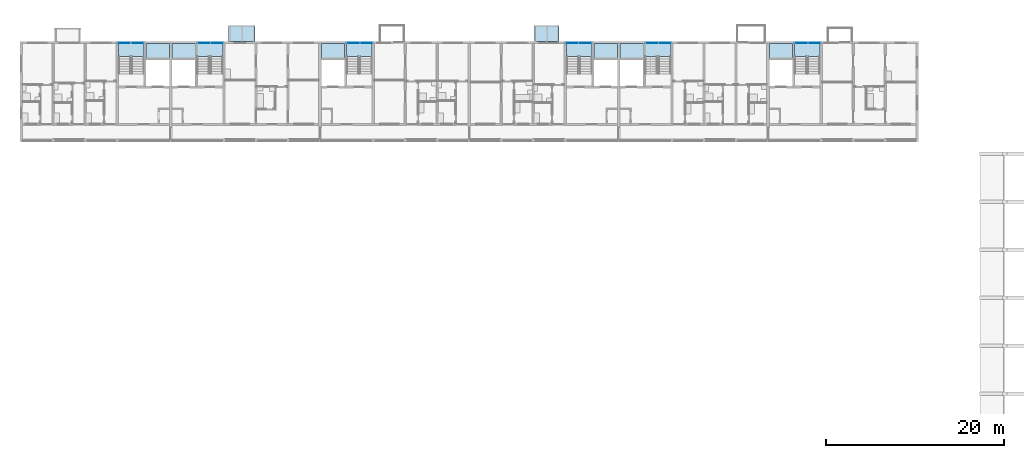
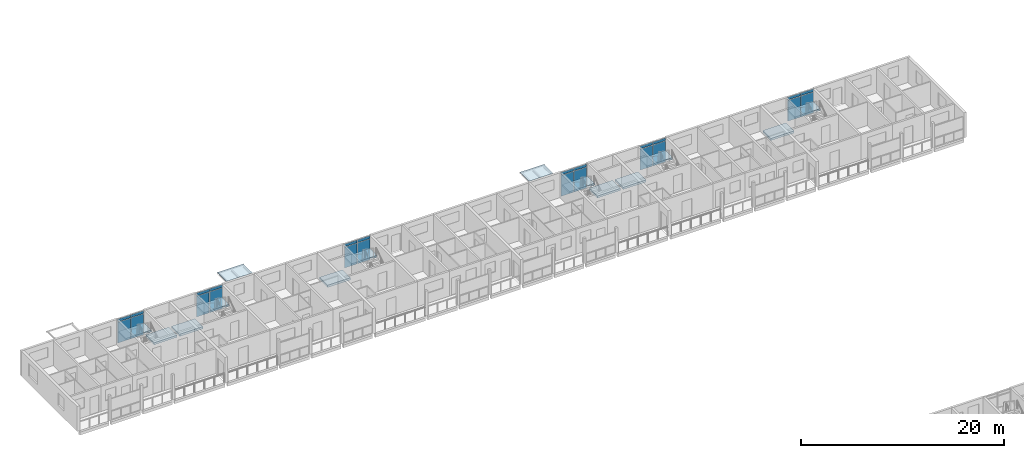
# One storey, part 24 of 99: 24 plates, 14 slabs, 12 elements without a shape of their own.
"""IFC4 building model written with IfcOpenShell, lengths in metres."""

from ifc_helpers import new_model, si_unit, direction, frame, origin, origin_2d, place, context, subcontext, project, spatial, polyline, rectangle, outline, extrude, material, layer, layer_set, type_object, element, aggregate, save


model = new_model("IFC4")

# Units and contexts
model_context = context("Model", 3, precision=1e-05, world=origin(), true_north=direction((0.0, 1.0)))
body_context = subcontext(model_context, "Body", "Model", "MODEL_VIEW")
ifc_project = project(units=[si_unit("LENGTHUNIT", "METRE"), si_unit("AREAUNIT", "SQUARE_METRE"), si_unit("VOLUMEUNIT", "CUBIC_METRE"), si_unit("PLANEANGLEUNIT", "RADIAN"), si_unit("MASSUNIT", "GRAM", prefix="KILO")], contexts=[model_context])

# Site, building, storey
site_placement = place(None, origin())
site = spatial("IfcSite", under=ifc_project, at=site_placement, CompositionType="ELEMENT")
building_placement = place(site_placement, origin())
building = spatial("IfcBuilding", under=site, at=building_placement, Name="Ridgestep Commons", CompositionType="ELEMENT")
storey_placement = place(building_placement, frame((0.0, 0.0, 15.0)))
storey = spatial("IfcBuildingStorey", under=building, at=storey_placement, Name="L05", CompositionType="ELEMENT", Elevation=15.0)

# Curtain wall, plates
ifc_material_1 = material(Name="Aluminium 6063-T6 and glass", Category="aluminium")
curtain_wall_type = type_object("IfcCurtainWallType", Name="Curtain wall stair strip", PredefinedType="NOTDEFINED", material=ifc_material_1)
curtain_wall_1_placement = place(storey_placement, origin())
curtain_wall_1 = element("IfcCurtainWall", 1, at=curtain_wall_1_placement, inside=storey, type_object=curtain_wall_type, Name="Curtain wall B1C level 05", PredefinedType="NOTDEFINED")
ifc_material_2 = material(Name="Glass laminated 6/16/6 low-emissivity", Category="glass")
ifc_layer_1 = layer(ifc_material_2, 0.028076171875)
ifc_layer_set_1 = layer_set([ifc_layer_1], Name="Glazing panel 28")
plate_type_1 = type_object("IfcPlateType", Name="Glazing panel 28", PredefinedType="CURTAIN_PANEL", material=ifc_layer_set_1)
plate_1_placement = place(storey_placement, frame((23.5712890625, 77.080078125, 0.06005859375), z_axis=(0.0, 0.0, 1.0), x_axis=(1.0, 0.0, 0.0)))
plate_1 = element("IfcPlate", 2, at=plate_1_placement, type_object=plate_type_1, Name="CW1 panel 1.1", PredefinedType="CURTAIN_PANEL", context=body_context, shape_type="SweptSolid", body=[
    extrude(rectangle(XDim=1.422607421875, YDim=0.028076171875, at=origin_2d()), origin(), (0.0, 0.0, 1.0), 2.5),
])
plate_2_placement = place(storey_placement, frame((25.0537109375, 77.080078125, 0.06005859375), z_axis=(0.0, 0.0, 1.0), x_axis=(1.0, 0.0, 0.0)))
plate_2 = element("IfcPlate", 3, at=plate_2_placement, type_object=plate_type_1, Name="CW1 panel 2.1", PredefinedType="CURTAIN_PANEL", context=body_context, shape_type="SweptSolid", body=[
    extrude(rectangle(XDim=1.422607421875, YDim=0.028076171875, at=origin_2d()), origin(), (0.0, 0.0, 1.0), 2.5),
])

curtain_wall_2_placement = place(storey_placement, origin())
curtain_wall_2 = element("IfcCurtainWall", 4, at=curtain_wall_2_placement, inside=storey, type_object=curtain_wall_type, Name="Curtain wall B2C level 05", PredefinedType="NOTDEFINED")
plate_3_placement = place(storey_placement, frame((32.546142578125, 77.080078125, 0.06005859375), z_axis=(0.0, 0.0, 1.0), x_axis=(1.0, 0.0, 0.0)))
plate_3 = element("IfcPlate", 5, at=plate_3_placement, type_object=plate_type_1, Name="CW1 panel 1.1", PredefinedType="CURTAIN_PANEL", context=body_context, shape_type="SweptSolid", body=[
    extrude(rectangle(XDim=1.422607421875, YDim=0.028076171875, at=origin_2d()), origin(), (0.0, 0.0, 1.0), 2.5),
])
plate_4_placement = place(storey_placement, frame((34.02880859375, 77.080078125, 0.06005859375), z_axis=(0.0, 0.0, 1.0), x_axis=(1.0, 0.0, 0.0)))
plate_4 = element("IfcPlate", 6, at=plate_4_placement, type_object=plate_type_1, Name="CW1 panel 2.1", PredefinedType="CURTAIN_PANEL", context=body_context, shape_type="SweptSolid", body=[
    extrude(rectangle(XDim=1.422607421875, YDim=0.028076171875, at=origin_2d()), origin(), (0.0, 0.0, 1.0), 2.5),
])

curtain_wall_3_placement = place(storey_placement, origin())
curtain_wall_3 = element("IfcCurtainWall", 7, at=curtain_wall_3_placement, inside=storey, type_object=curtain_wall_type, Name="Curtain wall B3C level 05", PredefinedType="NOTDEFINED")
plate_5_placement = place(storey_placement, frame((49.34619140625, 77.080078125, 0.06005859375), z_axis=(0.0, 0.0, 1.0), x_axis=(1.0, 0.0, 0.0)))
plate_5 = element("IfcPlate", 8, at=plate_5_placement, type_object=plate_type_1, Name="CW1 panel 1.1", PredefinedType="CURTAIN_PANEL", context=body_context, shape_type="SweptSolid", body=[
    extrude(rectangle(XDim=1.422607421875, YDim=0.028076171875, at=origin_2d()), origin(), (0.0, 0.0, 1.0), 2.5),
])
plate_6_placement = place(storey_placement, frame((50.828857421875, 77.080078125, 0.06005859375), z_axis=(0.0, 0.0, 1.0), x_axis=(1.0, 0.0, 0.0)))
plate_6 = element("IfcPlate", 9, at=plate_6_placement, type_object=plate_type_1, Name="CW1 panel 2.1", PredefinedType="CURTAIN_PANEL", context=body_context, shape_type="SweptSolid", body=[
    extrude(rectangle(XDim=1.422607421875, YDim=0.028076171875, at=origin_2d()), origin(), (0.0, 0.0, 1.0), 2.5),
])

curtain_wall_4_placement = place(storey_placement, origin())
curtain_wall_4 = element("IfcCurtainWall", 10, at=curtain_wall_4_placement, inside=storey, type_object=curtain_wall_type, Name="Curtain wall B4C level 05", PredefinedType="NOTDEFINED")
plate_7_placement = place(storey_placement, frame((73.97119140625, 77.080078125, 0.06005859375), z_axis=(0.0, 0.0, 1.0), x_axis=(1.0, 0.0, 0.0)))
plate_7 = element("IfcPlate", 11, at=plate_7_placement, type_object=plate_type_1, Name="CW1 panel 1.1", PredefinedType="CURTAIN_PANEL", context=body_context, shape_type="SweptSolid", body=[
    extrude(rectangle(XDim=1.422607421875, YDim=0.028076171875, at=origin_2d()), origin(), (0.0, 0.0, 1.0), 2.5),
])
plate_8_placement = place(storey_placement, frame((75.453857421875, 77.080078125, 0.06005859375), z_axis=(0.0, 0.0, 1.0), x_axis=(1.0, 0.0, 0.0)))
plate_8 = element("IfcPlate", 12, at=plate_8_placement, type_object=plate_type_1, Name="CW1 panel 2.1", PredefinedType="CURTAIN_PANEL", context=body_context, shape_type="SweptSolid", body=[
    extrude(rectangle(XDim=1.422607421875, YDim=0.028076171875, at=origin_2d()), origin(), (0.0, 0.0, 1.0), 2.5),
])

curtain_wall_5_placement = place(storey_placement, origin())
curtain_wall_5 = element("IfcCurtainWall", 13, at=curtain_wall_5_placement, inside=storey, type_object=curtain_wall_type, Name="Curtain wall B5C level 05", PredefinedType="NOTDEFINED")
plate_9_placement = place(storey_placement, frame((82.9462890625, 77.080078125, 0.06005859375), z_axis=(0.0, 0.0, 1.0), x_axis=(1.0, 0.0, 0.0)))
plate_9 = element("IfcPlate", 14, at=plate_9_placement, type_object=plate_type_1, Name="CW1 panel 1.1", PredefinedType="CURTAIN_PANEL", context=body_context, shape_type="SweptSolid", body=[
    extrude(rectangle(XDim=1.422607421875, YDim=0.028076171875, at=origin_2d()), origin(), (0.0, 0.0, 1.0), 2.5),
])
plate_10_placement = place(storey_placement, frame((84.4287109375, 77.080078125, 0.06005859375), z_axis=(0.0, 0.0, 1.0), x_axis=(1.0, 0.0, 0.0)))
plate_10 = element("IfcPlate", 15, at=plate_10_placement, type_object=plate_type_1, Name="CW1 panel 2.1", PredefinedType="CURTAIN_PANEL", context=body_context, shape_type="SweptSolid", body=[
    extrude(rectangle(XDim=1.422607421875, YDim=0.028076171875, at=origin_2d()), origin(), (0.0, 0.0, 1.0), 2.5),
])

curtain_wall_6_placement = place(storey_placement, origin())
curtain_wall_6 = element("IfcCurtainWall", 16, at=curtain_wall_6_placement, inside=storey, type_object=curtain_wall_type, Name="Curtain wall B6C level 05", PredefinedType="NOTDEFINED")
plate_11_placement = place(storey_placement, frame((99.746337890625, 77.080078125, 0.06005859375), z_axis=(0.0, 0.0, 1.0), x_axis=(1.0, 0.0, 0.0)))
plate_11 = element("IfcPlate", 17, at=plate_11_placement, type_object=plate_type_1, Name="CW1 panel 1.1", PredefinedType="CURTAIN_PANEL", context=body_context, shape_type="SweptSolid", body=[
    extrude(rectangle(XDim=1.422607421875, YDim=0.028076171875, at=origin_2d()), origin(), (0.0, 0.0, 1.0), 2.5),
])
plate_12_placement = place(storey_placement, frame((101.228759765625, 77.080078125, 0.06005859375), z_axis=(0.0, 0.0, 1.0), x_axis=(1.0, 0.0, 0.0)))
plate_12 = element("IfcPlate", 18, at=plate_12_placement, type_object=plate_type_1, Name="CW1 panel 2.1", PredefinedType="CURTAIN_PANEL", context=body_context, shape_type="SweptSolid", body=[
    extrude(rectangle(XDim=1.422607421875, YDim=0.028076171875, at=origin_2d()), origin(), (0.0, 0.0, 1.0), 2.5),
])

# Slabs
ifc_material_3 = material(Name="Precast concrete C50/60", Category="concrete")
ifc_layer_2 = layer(ifc_material_3, 0.25)
ifc_layer_set_2 = layer_set([ifc_layer_2], Name="Hollow-core plank 250")
slab_type_1 = type_object("IfcSlabType", Name="Hollow-core plank 250", PredefinedType="FLOOR", material=ifc_layer_set_2)
slab_1_placement = place(storey_placement, frame((0.0, 0.0, -0.25)))
element("IfcSlab", 19, at=slab_1_placement, inside=storey, type_object=slab_type_1, Name="Floor plank B1C L05", PredefinedType="FLOOR", context=body_context, shape_type="SweptSolid", body=[
    extrude(outline(polyline([(28.64990234375, 75.39990234375), (28.64990234375, 77.0), (26.02490234375, 77.0), (26.02490234375, 75.39990234375), (28.64990234375, 75.39990234375)])), origin(), (0.0, 0.0, 1.0), 0.25),
])
slab_2_placement = place(storey_placement, frame((0.0, 0.0, -0.25)))
element("IfcSlab", 20, at=slab_2_placement, inside=storey, type_object=slab_type_1, Name="Floor plank B2C L05", PredefinedType="FLOOR", context=body_context, shape_type="SweptSolid", body=[
    extrude(outline(polyline([(31.574951171875, 77.0), (28.949951171875, 77.0), (28.949951171875, 75.39990234375), (31.574951171875, 75.39990234375), (31.574951171875, 77.0)])), origin(), (0.0, 0.0, 1.0), 0.25),
])
slab_3_placement = place(storey_placement, frame((0.0, 0.0, -0.25)))
element("IfcSlab", 21, at=slab_3_placement, inside=storey, type_object=slab_type_1, Name="Floor plank B3C L05", PredefinedType="FLOOR", context=body_context, shape_type="SweptSolid", body=[
    extrude(outline(polyline([(48.375, 77.0), (45.75, 77.0), (45.75, 75.39990234375), (48.375, 75.39990234375), (48.375, 77.0)])), origin(), (0.0, 0.0, 1.0), 0.25),
])
slab_4_placement = place(storey_placement, frame((0.0, 0.0, -0.25)))
element("IfcSlab", 22, at=slab_4_placement, inside=storey, type_object=slab_type_1, Name="Floor plank B4C L05", PredefinedType="FLOOR", context=body_context, shape_type="SweptSolid", body=[
    extrude(outline(polyline([(79.050048828125, 75.39990234375), (79.050048828125, 77.0), (76.425048828125, 77.0), (76.425048828125, 75.39990234375), (79.050048828125, 75.39990234375)])), origin(), (0.0, 0.0, 1.0), 0.25),
])
slab_5_placement = place(storey_placement, frame((0.0, 0.0, -0.25)))
element("IfcSlab", 23, at=slab_5_placement, inside=storey, type_object=slab_type_1, Name="Floor plank B5C L05", PredefinedType="FLOOR", context=body_context, shape_type="SweptSolid", body=[
    extrude(outline(polyline([(81.97509765625, 77.0), (79.35009765625, 77.0), (79.35009765625, 75.39990234375), (81.97509765625, 75.39990234375), (81.97509765625, 77.0)])), origin(), (0.0, 0.0, 1.0), 0.25),
])
slab_6_placement = place(storey_placement, frame((0.0, 0.0, -0.25)))
element("IfcSlab", 24, at=slab_6_placement, inside=storey, type_object=slab_type_1, Name="Floor plank B6C L05", PredefinedType="FLOOR", context=body_context, shape_type="SweptSolid", body=[
    extrude(outline(polyline([(98.77490234375, 77.0), (96.14990234375, 77.0), (96.14990234375, 75.39990234375), (98.77490234375, 75.39990234375), (98.77490234375, 77.0)])), origin(), (0.0, 0.0, 1.0), 0.25),
])

# Plate
ifc_material_4 = material(Name="Aluminium 6063-T6 and mineral wool", Category="aluminium")
ifc_layer_3 = layer(ifc_material_4, 0.0400390625)
ifc_layer_set_3 = layer_set([ifc_layer_3], Name="Spandrel panel 40")
plate_type_2 = type_object("IfcPlateType", Name="Spandrel panel 40", PredefinedType="CURTAIN_PANEL", material=ifc_layer_set_3)
plate_13_placement = place(storey_placement, frame((23.5712890625, 77.080078125, 2.6201171875), z_axis=(0.0, 0.0, 1.0), x_axis=(1.0, 0.0, 0.0)))
plate_13 = element("IfcPlate", 25, at=plate_13_placement, type_object=plate_type_2, Name="CW1 panel 1.2", PredefinedType="CURTAIN_PANEL", context=body_context, shape_type="SweptSolid", body=[
    extrude(rectangle(XDim=1.422607421875, YDim=0.0400390625, at=origin_2d()), origin(), (0.0, 0.0, 1.0), 0.320068359375),
])

plate_14_placement = place(storey_placement, frame((25.0537109375, 77.080078125, 2.6201171875), z_axis=(0.0, 0.0, 1.0), x_axis=(1.0, 0.0, 0.0)))
plate_14 = element("IfcPlate", 26, at=plate_14_placement, type_object=plate_type_2, Name="CW1 panel 2.2", PredefinedType="CURTAIN_PANEL", context=body_context, shape_type="SweptSolid", body=[
    extrude(rectangle(XDim=1.422607421875, YDim=0.0400390625, at=origin_2d()), origin(), (0.0, 0.0, 1.0), 0.320068359375),
])

aggregate(curtain_wall_1, [plate_1, plate_13, plate_2, plate_14])

plate_15_placement = place(storey_placement, frame((32.546142578125, 77.080078125, 2.6201171875), z_axis=(0.0, 0.0, 1.0), x_axis=(1.0, 0.0, 0.0)))
plate_15 = element("IfcPlate", 27, at=plate_15_placement, type_object=plate_type_2, Name="CW1 panel 1.2", PredefinedType="CURTAIN_PANEL", context=body_context, shape_type="SweptSolid", body=[
    extrude(rectangle(XDim=1.422607421875, YDim=0.0400390625, at=origin_2d()), origin(), (0.0, 0.0, 1.0), 0.320068359375),
])

plate_16_placement = place(storey_placement, frame((34.02880859375, 77.080078125, 2.6201171875), z_axis=(0.0, 0.0, 1.0), x_axis=(1.0, 0.0, 0.0)))
plate_16 = element("IfcPlate", 28, at=plate_16_placement, type_object=plate_type_2, Name="CW1 panel 2.2", PredefinedType="CURTAIN_PANEL", context=body_context, shape_type="SweptSolid", body=[
    extrude(rectangle(XDim=1.422607421875, YDim=0.0400390625, at=origin_2d()), origin(), (0.0, 0.0, 1.0), 0.320068359375),
])

aggregate(curtain_wall_2, [plate_3, plate_15, plate_4, plate_16])

plate_17_placement = place(storey_placement, frame((49.34619140625, 77.080078125, 2.6201171875), z_axis=(0.0, 0.0, 1.0), x_axis=(1.0, 0.0, 0.0)))
plate_17 = element("IfcPlate", 29, at=plate_17_placement, type_object=plate_type_2, Name="CW1 panel 1.2", PredefinedType="CURTAIN_PANEL", context=body_context, shape_type="SweptSolid", body=[
    extrude(rectangle(XDim=1.422607421875, YDim=0.0400390625, at=origin_2d()), origin(), (0.0, 0.0, 1.0), 0.320068359375),
])

plate_18_placement = place(storey_placement, frame((50.828857421875, 77.080078125, 2.6201171875), z_axis=(0.0, 0.0, 1.0), x_axis=(1.0, 0.0, 0.0)))
plate_18 = element("IfcPlate", 30, at=plate_18_placement, type_object=plate_type_2, Name="CW1 panel 2.2", PredefinedType="CURTAIN_PANEL", context=body_context, shape_type="SweptSolid", body=[
    extrude(rectangle(XDim=1.422607421875, YDim=0.0400390625, at=origin_2d()), origin(), (0.0, 0.0, 1.0), 0.320068359375),
])

aggregate(curtain_wall_3, [plate_5, plate_17, plate_6, plate_18])

plate_19_placement = place(storey_placement, frame((73.97119140625, 77.080078125, 2.6201171875), z_axis=(0.0, 0.0, 1.0), x_axis=(1.0, 0.0, 0.0)))
plate_19 = element("IfcPlate", 31, at=plate_19_placement, type_object=plate_type_2, Name="CW1 panel 1.2", PredefinedType="CURTAIN_PANEL", context=body_context, shape_type="SweptSolid", body=[
    extrude(rectangle(XDim=1.422607421875, YDim=0.0400390625, at=origin_2d()), origin(), (0.0, 0.0, 1.0), 0.320068359375),
])

plate_20_placement = place(storey_placement, frame((75.453857421875, 77.080078125, 2.6201171875), z_axis=(0.0, 0.0, 1.0), x_axis=(1.0, 0.0, 0.0)))
plate_20 = element("IfcPlate", 32, at=plate_20_placement, type_object=plate_type_2, Name="CW1 panel 2.2", PredefinedType="CURTAIN_PANEL", context=body_context, shape_type="SweptSolid", body=[
    extrude(rectangle(XDim=1.422607421875, YDim=0.0400390625, at=origin_2d()), origin(), (0.0, 0.0, 1.0), 0.320068359375),
])

aggregate(curtain_wall_4, [plate_7, plate_19, plate_8, plate_20])

plate_21_placement = place(storey_placement, frame((82.9462890625, 77.080078125, 2.6201171875), z_axis=(0.0, 0.0, 1.0), x_axis=(1.0, 0.0, 0.0)))
plate_21 = element("IfcPlate", 33, at=plate_21_placement, type_object=plate_type_2, Name="CW1 panel 1.2", PredefinedType="CURTAIN_PANEL", context=body_context, shape_type="SweptSolid", body=[
    extrude(rectangle(XDim=1.422607421875, YDim=0.0400390625, at=origin_2d()), origin(), (0.0, 0.0, 1.0), 0.320068359375),
])

plate_22_placement = place(storey_placement, frame((84.4287109375, 77.080078125, 2.6201171875), z_axis=(0.0, 0.0, 1.0), x_axis=(1.0, 0.0, 0.0)))
plate_22 = element("IfcPlate", 34, at=plate_22_placement, type_object=plate_type_2, Name="CW1 panel 2.2", PredefinedType="CURTAIN_PANEL", context=body_context, shape_type="SweptSolid", body=[
    extrude(rectangle(XDim=1.422607421875, YDim=0.0400390625, at=origin_2d()), origin(), (0.0, 0.0, 1.0), 0.320068359375),
])

aggregate(curtain_wall_5, [plate_9, plate_21, plate_10, plate_22])

plate_23_placement = place(storey_placement, frame((99.746337890625, 77.080078125, 2.6201171875), z_axis=(0.0, 0.0, 1.0), x_axis=(1.0, 0.0, 0.0)))
plate_23 = element("IfcPlate", 35, at=plate_23_placement, type_object=plate_type_2, Name="CW1 panel 1.2", PredefinedType="CURTAIN_PANEL", context=body_context, shape_type="SweptSolid", body=[
    extrude(rectangle(XDim=1.422607421875, YDim=0.0400390625, at=origin_2d()), origin(), (0.0, 0.0, 1.0), 0.320068359375),
])

plate_24_placement = place(storey_placement, frame((101.228759765625, 77.080078125, 2.6201171875), z_axis=(0.0, 0.0, 1.0), x_axis=(1.0, 0.0, 0.0)))
plate_24 = element("IfcPlate", 36, at=plate_24_placement, type_object=plate_type_2, Name="CW1 panel 2.2", PredefinedType="CURTAIN_PANEL", context=body_context, shape_type="SweptSolid", body=[
    extrude(rectangle(XDim=1.422607421875, YDim=0.0400390625, at=origin_2d()), origin(), (0.0, 0.0, 1.0), 0.320068359375),
])

aggregate(curtain_wall_6, [plate_11, plate_23, plate_12, plate_24])

# Stair, slab
ifc_material_5 = material(Name="Precast concrete C40/50", Category="concrete")
stair_type = type_object("IfcStairType", Name="Escape stair 1400", PredefinedType="HALF_TURN_STAIR", material=ifc_material_5)
stair_1_placement = place(storey_placement, origin())
stair_1 = element("IfcStair", 37, at=stair_1_placement, inside=storey, type_object=stair_type, Name="L05 Escape stair B1C", PredefinedType="HALF_TURN_STAIR")
ifc_material_6 = material(Name="Precast concrete C40/50", Category="concrete")
ifc_layer_4 = layer(ifc_material_6, 0.199951171875)
ifc_layer_set_4 = layer_set([ifc_layer_4], Name="Stair landing 200")
slab_type_2 = type_object("IfcSlabType", Name="Stair landing 200", PredefinedType="LANDING", material=ifc_layer_set_4)
slab_7_placement = place(storey_placement, frame((0.0, 0.0, 1.300048828125)))
slab_7 = element("IfcSlab", 38, at=slab_7_placement, type_object=slab_type_2, Name="B1C landing 1", PredefinedType="LANDING", context=body_context, shape_type="SweptSolid", body=[
    extrude(outline(polyline([(25.824951171875, 75.56005859375), (25.824951171875, 77.0), (22.925048828125, 77.0), (22.925048828125, 75.56005859375), (25.824951171875, 75.56005859375)])), origin(), (0.0, 0.0, 1.0), 0.199951171875),
])
aggregate(stair_1, [slab_7])

stair_2_placement = place(storey_placement, origin())
stair_2 = element("IfcStair", 39, at=stair_2_placement, inside=storey, type_object=stair_type, Name="L05 Escape stair B2C", PredefinedType="HALF_TURN_STAIR")
slab_8_placement = place(storey_placement, frame((0.0, 0.0, 1.300048828125)))
slab_8 = element("IfcSlab", 40, at=slab_8_placement, type_object=slab_type_2, Name="B2C landing 1", PredefinedType="LANDING", context=body_context, shape_type="SweptSolid", body=[
    extrude(outline(polyline([(34.675048828125, 75.56005859375), (34.675048828125, 77.0), (31.77490234375, 77.0), (31.77490234375, 75.56005859375), (34.675048828125, 75.56005859375)])), origin(), (0.0, 0.0, 1.0), 0.199951171875),
])
aggregate(stair_2, [slab_8])

stair_3_placement = place(storey_placement, origin())
stair_3 = element("IfcStair", 41, at=stair_3_placement, inside=storey, type_object=stair_type, Name="L05 Escape stair B3C", PredefinedType="HALF_TURN_STAIR")
slab_9_placement = place(storey_placement, frame((0.0, 0.0, 1.300048828125)))
slab_9 = element("IfcSlab", 42, at=slab_9_placement, type_object=slab_type_2, Name="B3C landing 1", PredefinedType="LANDING", context=body_context, shape_type="SweptSolid", body=[
    extrude(outline(polyline([(51.47509765625, 75.56005859375), (51.47509765625, 77.0), (48.574951171875, 77.0), (48.574951171875, 75.56005859375), (51.47509765625, 75.56005859375)])), origin(), (0.0, 0.0, 1.0), 0.199951171875),
])
aggregate(stair_3, [slab_9])

stair_4_placement = place(storey_placement, origin())
stair_4 = element("IfcStair", 43, at=stair_4_placement, inside=storey, type_object=stair_type, Name="L05 Escape stair B4C", PredefinedType="HALF_TURN_STAIR")
slab_10_placement = place(storey_placement, frame((0.0, 0.0, 1.300048828125)))
slab_10 = element("IfcSlab", 44, at=slab_10_placement, type_object=slab_type_2, Name="B4C landing 1", PredefinedType="LANDING", context=body_context, shape_type="SweptSolid", body=[
    extrude(outline(polyline([(76.22509765625, 75.56005859375), (76.22509765625, 77.0), (73.324951171875, 77.0), (73.324951171875, 75.56005859375), (76.22509765625, 75.56005859375)])), origin(), (0.0, 0.0, 1.0), 0.199951171875),
])
aggregate(stair_4, [slab_10])

stair_5_placement = place(storey_placement, origin())
stair_5 = element("IfcStair", 45, at=stair_5_placement, inside=storey, type_object=stair_type, Name="L05 Escape stair B5C", PredefinedType="HALF_TURN_STAIR")
slab_11_placement = place(storey_placement, frame((0.0, 0.0, 1.300048828125)))
slab_11 = element("IfcSlab", 46, at=slab_11_placement, type_object=slab_type_2, Name="B5C landing 1", PredefinedType="LANDING", context=body_context, shape_type="SweptSolid", body=[
    extrude(outline(polyline([(85.074951171875, 75.56005859375), (85.074951171875, 77.0), (82.175048828125, 77.0), (82.175048828125, 75.56005859375), (85.074951171875, 75.56005859375)])), origin(), (0.0, 0.0, 1.0), 0.199951171875),
])
aggregate(stair_5, [slab_11])

stair_6_placement = place(storey_placement, origin())
stair_6 = element("IfcStair", 47, at=stair_6_placement, inside=storey, type_object=stair_type, Name="L05 Escape stair B6C", PredefinedType="HALF_TURN_STAIR")
slab_12_placement = place(storey_placement, frame((0.0, 0.0, 1.300048828125)))
slab_12 = element("IfcSlab", 48, at=slab_12_placement, type_object=slab_type_2, Name="B6C landing 1", PredefinedType="LANDING", context=body_context, shape_type="SweptSolid", body=[
    extrude(outline(polyline([(101.875, 75.56005859375), (101.875, 77.0), (98.97509765625, 77.0), (98.97509765625, 75.56005859375), (101.875, 75.56005859375)])), origin(), (0.0, 0.0, 1.0), 0.199951171875),
])
aggregate(stair_6, [slab_12])

# Slabs
ifc_material_7 = material(Name="Weathering steel S355J2W", Category="steel")
ifc_layer_5 = layer(ifc_material_7, 0.010009765625)
ifc_layer_set_5 = layer_set([ifc_layer_5], Name="Tray 2.8 x 1.8")
slab_type_3 = type_object("IfcSlabType", Name="Tray 2.8 x 1.8", PredefinedType="FLOOR", material=ifc_layer_set_5)
slab_13_placement = place(storey_placement, frame((0.0, 0.0, 2.989990234375)))
element("IfcSlab", 49, at=slab_13_placement, inside=storey, type_object=slab_type_3, Name="Tray deck B4T3-06", PredefinedType="FLOOR", context=body_context, shape_type="SweptSolid", body=[
    extrude(outline(polyline([(69.72998046875, 77.25), (72.469970703125, 77.25), (72.469970703125, 79.050048828125), (69.72998046875, 79.050048828125), (69.72998046875, 77.25)])), origin(), (0.0, 0.0, 1.0), 0.010009765625),
])
ifc_material_8 = material(Name="Weathering steel S355J2W", Category="steel")
ifc_layer_6 = layer(ifc_material_8, 0.010009765625)
ifc_layer_set_6 = layer_set([ifc_layer_6], Name="Tray 3.0 x 1.8")
slab_type_4 = type_object("IfcSlabType", Name="Tray 3.0 x 1.8", PredefinedType="FLOOR", material=ifc_layer_set_6)
slab_14_placement = place(storey_placement, frame((0.0, 0.0, 2.989990234375)))
element("IfcSlab", 50, at=slab_14_placement, inside=storey, type_object=slab_type_4, Name="Tray deck B2T3-06", PredefinedType="FLOOR", context=body_context, shape_type="SweptSolid", body=[
    extrude(outline(polyline([(35.330078125, 77.25), (38.27001953125, 77.25), (38.27001953125, 79.050048828125), (35.330078125, 79.050048828125), (35.330078125, 77.25)])), origin(), (0.0, 0.0, 1.0), 0.010009765625),
])

save(model, "model.ifc")
